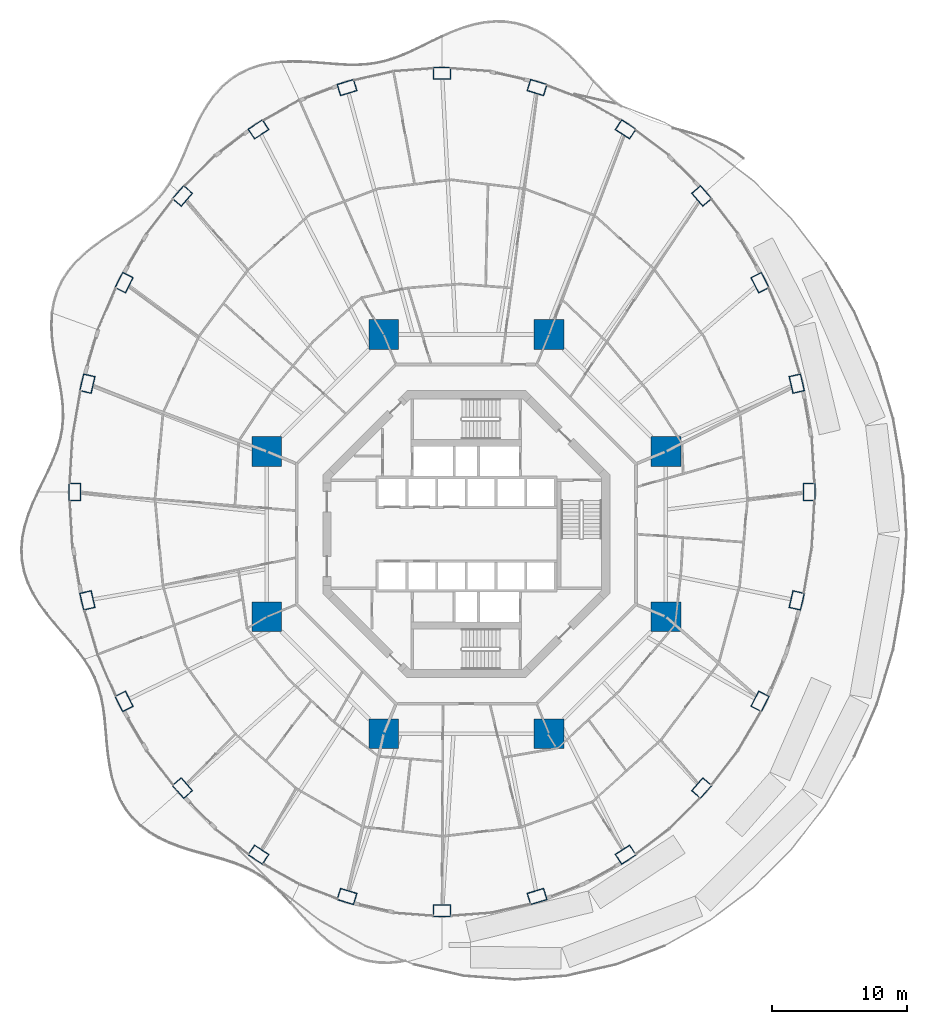
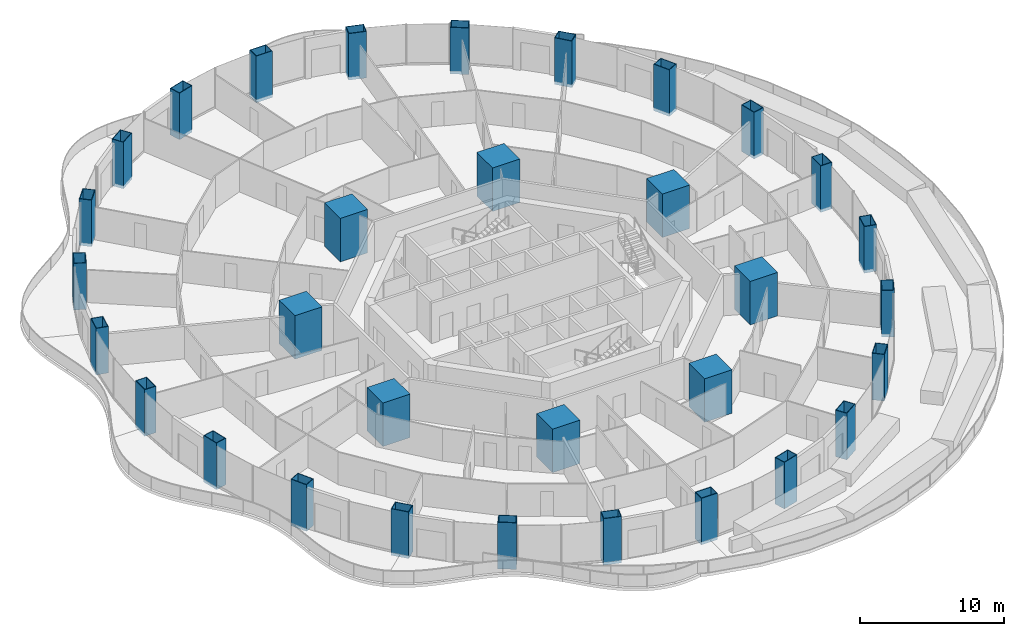
# One storey, part 1 of 22: 32 columns.
"""IFC4 building model written with IfcOpenShell, lengths in metres."""

from ifc_helpers import new_model, si_unit, direction, frame, origin, origin_2d, place, context, subcontext, project, spatial, rectangle, hollow_rectangle, extrude, material, material_profile, profile_set, type_object, element, save


model = new_model("IFC4")

# Units and contexts
model_context = context("Model", 3, precision=1e-05, world=origin(), true_north=direction((0.0, 1.0)))
body_context = subcontext(model_context, "Body", "Model", "MODEL_VIEW")
ifc_project = project(units=[si_unit("LENGTHUNIT", "METRE"), si_unit("AREAUNIT", "SQUARE_METRE"), si_unit("VOLUMEUNIT", "CUBIC_METRE"), si_unit("PLANEANGLEUNIT", "RADIAN"), si_unit("MASSUNIT", "GRAM", prefix="KILO")], contexts=[model_context])

# Site, building, storey
site_placement = place(None, origin())
site = spatial("IfcSite", under=ifc_project, at=site_placement, CompositionType="ELEMENT")
building_placement = place(site_placement, origin())
building = spatial("IfcBuilding", under=site, at=building_placement, Name="Nagisa Residences", CompositionType="ELEMENT")
storey_placement = place(building_placement, frame((0.0, 0.0, 73.300048828125)))
storey = spatial("IfcBuildingStorey", under=building, at=storey_placement, Name="L17", CompositionType="ELEMENT", Elevation=73.300048828125)

# Columns
ifc_material_1 = material(Name="Concrete C80", Category="concrete")
ifc_material_profile_1 = material_profile(ifc_material_1, rectangle(XDim=2.199951171875, YDim=2.199951171875, at=origin_2d()), Name="C80 2200x2200")
ifc_profile_set_1 = profile_set([ifc_material_profile_1], Name="Concrete C80")
column_type_1 = type_object("IfcColumnType", Name="Inner megacolumn C80 2200x2200", PredefinedType="COLUMN", material=ifc_profile_set_1)
for number, where, z_axis, x_axis, name in (
    (1, (14.781982421875, 6.123046875, 0.0), (0.0, 0.0, 1.0), (1.0, 0.0, 0.0), "col:L17:i1"),
    (2, (6.123046875, 14.781982421875, 0.0), (0.0, 0.0, 1.0), (1.0, 0.0, 0.0), "col:L17:i2"),
    (3, (-6.123046875, 14.781982421875, 0.0), (0.0, 0.0, 1.0), (1.0, 0.0, 0.0), "col:L17:i3"),
    (4, (-14.781982421875, 6.123046875, 0.0), (0.0, 0.0, 1.0), (1.0, 0.0, 0.0), "col:L17:i4"),
    (5, (-14.781982421875, -6.123046875, 0.0), (0.0, 0.0, 1.0), (1.0, 0.0, 0.0), "col:L17:i5"),
    (6, (-6.123046875, -14.781982421875, 0.0), (0.0, 0.0, 1.0), (1.0, 0.0, 0.0), "col:L17:i6"),
    (7, (6.123046875, -14.781982421875, 0.0), (0.0, 0.0, 1.0), (1.0, 0.0, 0.0), "col:L17:i7"),
    (8, (14.781982421875, -6.123046875, 0.0), (0.0, 0.0, 1.0), (1.0, 0.0, 0.0), "col:L17:i8"),
):
    element("IfcColumn", number, at=place(storey_placement, frame(where, z_axis=z_axis, x_axis=x_axis)), inside=storey, type_object=column_type_1, Name=name, PredefinedType="COLUMN", context=body_context, shape_type="SweptSolid", body=[
        extrude(rectangle(XDim=2.199951171875, YDim=2.199951171875, at=origin_2d()), origin(), (0.0, 0.0, 1.0), 3.699951171875),
    ])
ifc_material_2 = material(Name="Steel ASTM A572 Gr 50", Category="steel")
ifc_material_profile_2 = material_profile(ifc_material_2, hollow_rectangle(XDim=1.300048828125, YDim=0.89990234375, WallThickness=0.044921875, at=origin_2d()), Name="BX 1300x900x45")
ifc_profile_set_2 = profile_set([ifc_material_profile_2], Name="Steel ASTM A572 Gr 50")
column_type_2 = type_object("IfcColumnType", Name="Perimeter column BX 1300x900x45", PredefinedType="COLUMN", material=ifc_profile_set_2)
for number, where, z_axis, x_axis, name in (
    (9, (25.39501953125, 3.11767578125, -0.260009765625), (0.0, 0.0, 1.0), (0.0, 1.0, 0.0), "col:L17:p00"),
    (10, (24.46826171875, 11.14501953125, -0.260009765625), (0.0, 0.0, 1.0), (-0.229202013103, 0.973378876486, 0.0), "col:L17:p01"),
    (11, (21.75146484375, 18.625244140625, -0.260009765625), (0.0, 0.0, 1.0), (-0.452462697578, 0.891783329795, 0.0), "col:L17:p02"),
    (12, (17.4296875, 25.048583984375, -0.260009765625), (0.0, 0.0, 1.0), (-0.660114607735, 0.751164898445, 0.0), "col:L17:p03"),
    (13, (11.797607421875, 29.9775390625, -0.260009765625), (0.0, 0.0, 1.0), (-0.835766105673, 0.54908561865, 0.0), "col:L17:p04"),
    (14, (5.238525390625, 33.075927734375, -0.260009765625), (0.0, 0.0, 1.0), (-0.956524583408, 0.291651712384, 0.0), "col:L17:p05"),
    (15, (-1.800048828125, 34.1328125, -0.260009765625), (0.0, 0.0, 1.0), (-1.0, 0.0, 0.0), "col:L17:p06"),
    (16, (-8.838623046875, 33.075927734375, -0.260009765625), (0.0, 0.0, 1.0), (-0.956524583408, -0.291651712384, 0.0), "col:L17:p07"),
    (17, (-15.3974609375, 29.9775390625, -0.260009765625), (0.0, 0.0, 1.0), (-0.835766105673, -0.54908561865, 0.0), "col:L17:p08"),
    (18, (-21.02978515625, 25.048583984375, -0.260009765625), (0.0, 0.0, 1.0), (-0.660114607735, -0.751164898445, 0.0), "col:L17:p09"),
    (19, (-25.3515625, 18.625244140625, -0.260009765625), (0.0, 0.0, 1.0), (-0.452462697578, -0.891783329795, 0.0), "col:L17:p10"),
    (20, (-28.068359375, 11.14501953125, -0.260009765625), (0.0, 0.0, 1.0), (-0.229202013103, -0.973378876486, 0.0), "col:L17:p11"),
    (21, (-28.9951171875, 3.11767578125, -0.260009765625), (0.0, 0.0, 1.0), (0.0, -1.0, 0.0), "col:L17:p12"),
    (22, (-28.068359375, -4.90966796875, -0.260009765625), (0.0, 0.0, 1.0), (0.229202013103, -0.973378876486, 0.0), "col:L17:p13"),
    (23, (-25.3515625, -12.389892578125, -0.260009765625), (0.0, 0.0, 1.0), (0.452462697578, -0.891783329795, 0.0), "col:L17:p14"),
    (24, (-21.02978515625, -18.813232421875, -0.260009765625), (0.0, 0.0, 1.0), (0.660114607735, -0.751164898445, 0.0), "col:L17:p15"),
    (25, (-15.3974609375, -23.7421875, -0.260009765625), (0.0, 0.0, 1.0), (0.835766105673, -0.54908561865, 0.0), "col:L17:p16"),
    (26, (-8.838623046875, -26.840576171875, -0.260009765625), (0.0, 0.0, 1.0), (0.956524583408, -0.291651712384, 0.0), "col:L17:p17"),
    (27, (-1.800048828125, -27.897216796875, -0.260009765625), (0.0, 0.0, 1.0), (1.0, 0.0, 0.0), "col:L17:p18"),
    (28, (5.238525390625, -26.840576171875, -0.260009765625), (0.0, 0.0, 1.0), (0.956524583408, 0.291651712384, 0.0), "col:L17:p19"),
    (29, (11.797607421875, -23.7421875, -0.260009765625), (0.0, 0.0, 1.0), (0.835766105673, 0.54908561865, 0.0), "col:L17:p20"),
    (30, (17.4296875, -18.813232421875, -0.260009765625), (0.0, 0.0, 1.0), (0.660114607735, 0.751164898445, 0.0), "col:L17:p21"),
    (31, (21.75146484375, -12.389892578125, -0.260009765625), (0.0, 0.0, 1.0), (0.452462697578, 0.891783329795, 0.0), "col:L17:p22"),
    (32, (24.46826171875, -4.90966796875, -0.260009765625), (0.0, 0.0, 1.0), (0.229202013103, 0.973378876486, 0.0), "col:L17:p23"),
):
    element("IfcColumn", number, at=place(storey_placement, frame(where, z_axis=z_axis, x_axis=x_axis)), inside=storey, type_object=column_type_2, Name=name, PredefinedType="COLUMN", context=body_context, shape_type="SweptSolid", body=[
        extrude(hollow_rectangle(XDim=1.300048828125, YDim=0.89990234375, WallThickness=0.044921875, at=origin_2d()), origin(), (0.0, 0.0, 1.0), 3.9599609375),
    ])

save(model, "model.ifc")
